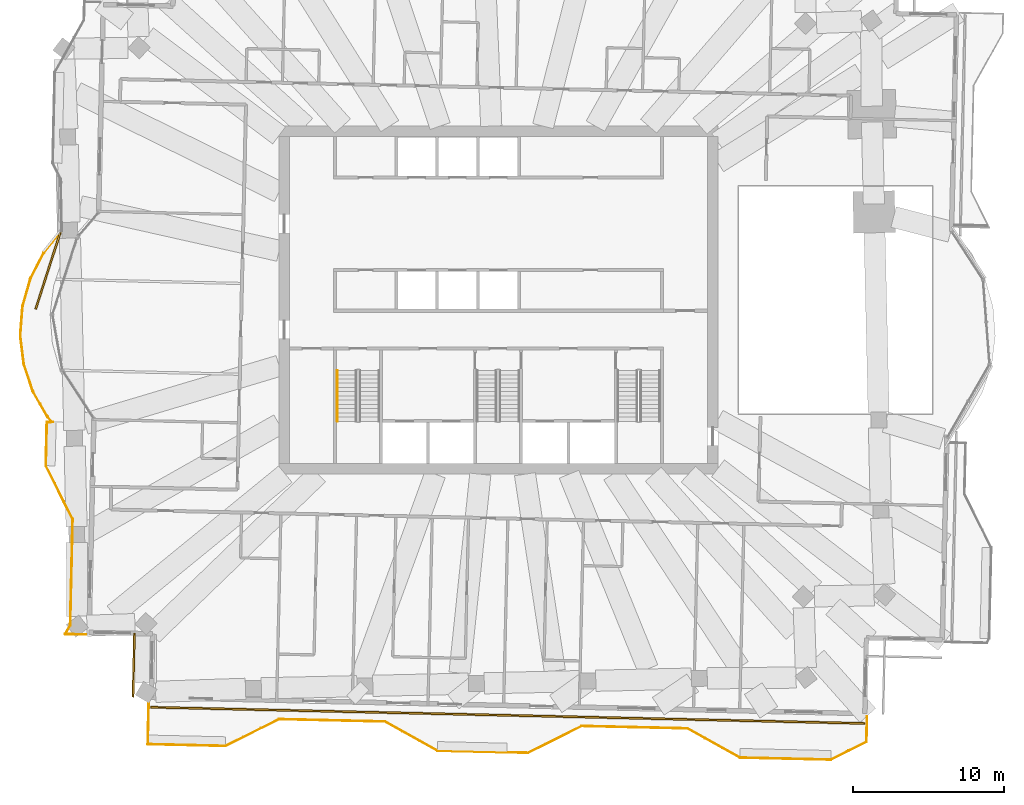
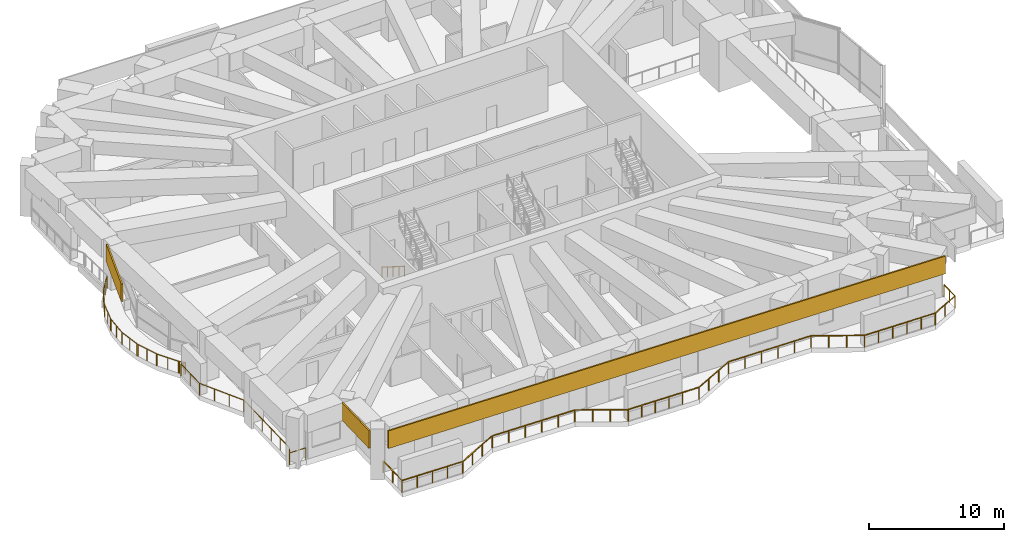
# One storey, part 16 of 20: 4 railings, 3 coverings.
"""IFC4 building model written with IfcOpenShell, lengths in metres."""

from ifc_helpers import new_model, si_unit, direction, frame, frame_2d, origin, origin_2d, place, context, subcontext, project, spatial, rectangle, circle, extrude, material, layer, layer_set, type_object, element, save


model = new_model("IFC4")

# Units and contexts
model_context = context("Model", 3, precision=1e-05, world=origin(), true_north=direction((0.0, 1.0)))
body_context = subcontext(model_context, "Body", "Model", "MODEL_VIEW")
ifc_project = project(units=[si_unit("LENGTHUNIT", "METRE"), si_unit("AREAUNIT", "SQUARE_METRE"), si_unit("VOLUMEUNIT", "CUBIC_METRE"), si_unit("PLANEANGLEUNIT", "RADIAN"), si_unit("MASSUNIT", "GRAM", prefix="KILO")], contexts=[model_context])

# Site, building, storey
site_placement = place(None, origin())
site = spatial("IfcSite", under=ifc_project, at=site_placement, CompositionType="ELEMENT")
building_placement = place(site_placement, origin())
building = spatial("IfcBuilding", under=site, at=building_placement, Name="Mangrove Gate Tower", CompositionType="ELEMENT")
storey_placement = place(building_placement, frame((0.0, 0.0, 252.699951171875)))
storey = spatial("IfcBuildingStorey", under=building, at=storey_placement, Name="L64", CompositionType="ELEMENT", Elevation=252.699951171875)

# Railings
ifc_material_1 = material(Name="Stainless steel grade 316 with laminated glass infill", Category="steel")
railing_type_1 = type_object("IfcRailingType", Name="Balcony guard 1100", PredefinedType="GUARDRAIL", material=ifc_material_1)
railing_1_placement = place(storey_placement, frame((-29.614013671875, -8.069091796875, 0.0)))
element("IfcRailing", 1, at=railing_1_placement, inside=storey, type_object=railing_type_1, Name="GUARD L64 W2", PredefinedType="GUARDRAIL", context=body_context, shape_type="SweptSolid", body=[
    extrude(rectangle(XDim=0.048095703125, YDim=0.048095703125, at=origin_2d()), frame((0.0, 0.0, 1.076171875), z_axis=(-0.999742949092, 0.022672356297, 0.0), x_axis=(-0.022672356297, -0.999742949092, 0.0)), (0.0, 0.0, 1.0), 0.22607421875),
    extrude(rectangle(XDim=0.048095703125, YDim=0.048095703125, at=origin_2d()), frame((-0.22607421875, 0.005126953125, 1.076171875), z_axis=(-0.022590224177, -0.999744808324, 0.0), x_axis=(0.999744808324, -0.022590224177, 0.0)), (0.0, 0.0, 1.0), 2.874755859375),
    extrude(rectangle(XDim=0.048095703125, YDim=0.048095703125, at=origin_2d()), frame((-0.291015625, -2.868896484375, 1.076171875), z_axis=(0.447114919141, -0.894476522376, 0.0), x_axis=(0.894476522376, 0.447114919141, 0.0)), (0.0, 0.0, 1.0), 3.958740234375),
    extrude(rectangle(XDim=0.048095703125, YDim=0.048095703125, at=origin_2d()), frame((1.47900390625, -6.409912109375, 1.076171875), z_axis=(-0.022705559911, -0.999742195543, 0.0), x_axis=(0.999742195543, -0.022705559911, 0.0)), (0.0, 0.0, 1.0), 6.999755859375),
    extrude(rectangle(XDim=0.048095703125, YDim=0.048095703125, at=origin_2d()), frame((1.320068359375, -13.407958984375, 1.076171875), z_axis=(-0.48634525195, -0.873766728541, 0.0), x_axis=(0.873766728541, -0.48634525195, 0.0)), (0.0, 0.0, 1.0), 0.6787109375),
    extrude(rectangle(XDim=0.048095703125, YDim=0.048095703125, at=origin_2d()), frame((0.989990234375, -14.0009765625, 1.076171875), z_axis=(0.999746572278, -0.022512023879, 0.0), x_axis=(0.022512023879, 0.999746572278, 0.0)), (0.0, 0.0, 1.0), 1.377197265625),
    extrude(rectangle(XDim=0.0419921875, YDim=0.0419921875, at=origin_2d()), origin(), (0.0, 0.0, 1.0), 1.052001953125),
    extrude(rectangle(XDim=0.0419921875, YDim=0.0419921875, at=origin_2d()), frame((-0.22607421875, 0.005126953125, 0.0)), (0.0, 0.0, 1.0), 1.052001953125),
    extrude(rectangle(XDim=0.0419921875, YDim=0.0419921875, at=origin_2d()), frame((-0.258544921875, -1.431884765625, 0.0)), (0.0, 0.0, 1.0), 1.052001953125),
    extrude(rectangle(XDim=0.0419921875, YDim=0.0419921875, at=origin_2d()), frame((-0.291015625, -2.868896484375, 0.0)), (0.0, 0.0, 1.0), 1.052001953125),
    extrude(rectangle(XDim=0.0419921875, YDim=0.0419921875, at=origin_2d()), frame((0.299072265625, -4.04931640625, 0.0)), (0.0, 0.0, 1.0), 1.052001953125),
    extrude(rectangle(XDim=0.0419921875, YDim=0.0419921875, at=origin_2d()), frame((0.888916015625, -5.2294921875, 0.0)), (0.0, 0.0, 1.0), 1.052001953125),
    extrude(rectangle(XDim=0.0419921875, YDim=0.0419921875, at=origin_2d()), frame((1.47900390625, -6.409912109375, 0.0)), (0.0, 0.0, 1.0), 1.052001953125),
    extrude(rectangle(XDim=0.0419921875, YDim=0.0419921875, at=origin_2d()), frame((1.447265625, -7.8095703125, 0.0)), (0.0, 0.0, 1.0), 1.052001953125),
    extrude(rectangle(XDim=0.0419921875, YDim=0.0419921875, at=origin_2d()), frame((1.41552734375, -9.209228515625, 0.0)), (0.0, 0.0, 1.0), 1.052001953125),
    extrude(rectangle(XDim=0.0419921875, YDim=0.0419921875, at=origin_2d()), frame((1.383544921875, -10.608642578125, 0.0)), (0.0, 0.0, 1.0), 1.052001953125),
    extrude(rectangle(XDim=0.0419921875, YDim=0.0419921875, at=origin_2d()), frame((1.351806640625, -12.00830078125, 0.0)), (0.0, 0.0, 1.0), 1.052001953125),
    extrude(rectangle(XDim=0.0419921875, YDim=0.0419921875, at=origin_2d()), frame((1.320068359375, -13.407958984375, 0.0)), (0.0, 0.0, 1.0), 1.052001953125),
    extrude(rectangle(XDim=0.0419921875, YDim=0.0419921875, at=origin_2d()), frame((0.989990234375, -14.0009765625, 0.0)), (0.0, 0.0, 1.0), 1.052001953125),
    extrude(rectangle(XDim=0.0419921875, YDim=0.0419921875, at=origin_2d()), frame((2.366943359375, -14.031982421875, 0.0)), (0.0, 0.0, 1.0), 1.052001953125),
])
railing_2_placement = place(storey_placement, frame((-23.10498046875, -26.43603515625, 0.0)))
element("IfcRailing", 2, at=railing_2_placement, inside=storey, type_object=railing_type_1, Name="GUARD L64 S1", PredefinedType="GUARDRAIL", context=body_context, shape_type="SweptSolid", body=[
    extrude(rectangle(XDim=0.048095703125, YDim=0.048095703125, at=origin_2d()), frame((0.0, 0.0, 1.076171875), z_axis=(-0.022654696127, -0.999743349437, 0.0), x_axis=(0.999743349437, -0.022654696127, 0.0)), (0.0, 0.0, 1.0), 2.90966796875),
    extrude(rectangle(XDim=0.048095703125, YDim=0.048095703125, at=origin_2d()), frame((-0.06591796875, -2.908935546875, 1.076171875), z_axis=(0.999740779291, -0.022767833085, 0.0), x_axis=(0.022767833085, 0.999740779291, 0.0)), (0.0, 0.0, 1.0), 5.13623046875),
    extrude(rectangle(XDim=0.048095703125, YDim=0.048095703125, at=origin_2d()), frame((5.069091796875, -3.02587890625, 1.076171875), z_axis=(0.894464192593, 0.447139584658, 0.0), x_axis=(-0.447139584658, 0.894464192593, 0.0)), (0.0, 0.0, 1.0), 3.95849609375),
    extrude(rectangle(XDim=0.048095703125, YDim=0.048095703125, at=origin_2d()), frame((8.60986328125, -1.255859375, 1.076171875), z_axis=(0.999744565238, -0.022600979566, 0.0), x_axis=(0.022600979566, 0.999744565238, 0.0)), (0.0, 0.0, 1.0), 6.999755859375),
    extrude(rectangle(XDim=0.048095703125, YDim=0.048095703125, at=origin_2d()), frame((15.60791015625, -1.4140625, 1.076171875), z_axis=(0.87325689943, -0.48726008209, 0.0), x_axis=(0.48726008209, 0.87325689943, 0.0)), (0.0, 0.0, 1.0), 3.958740234375),
    extrude(rectangle(XDim=0.048095703125, YDim=0.048095703125, at=origin_2d()), frame((19.06494140625, -3.343017578125, 1.076171875), z_axis=(0.999739584003, -0.022820258049, 0.0), x_axis=(0.022820258049, 0.999739584003, 0.0)), (0.0, 0.0, 1.0), 4.600341796875),
    extrude(rectangle(XDim=0.048095703125, YDim=0.048095703125, at=origin_2d()), frame((23.6640625, -3.447998046875, 1.076171875), z_axis=(0.999754810245, -0.022143156767, 0.0), x_axis=(0.022143156767, 0.999754810245, 0.0)), (0.0, 0.0, 1.0), 1.400146484375),
    extrude(rectangle(XDim=0.048095703125, YDim=0.048095703125, at=origin_2d()), frame((25.06396484375, -3.47900390625, 1.076171875), z_axis=(0.894476522376, 0.447114919141, 0.0), x_axis=(-0.447114919141, 0.894476522376, 0.0)), (0.0, 0.0, 1.0), 3.958740234375),
    extrude(rectangle(XDim=0.048095703125, YDim=0.048095703125, at=origin_2d()), frame((28.60498046875, -1.708984375, 1.076171875), z_axis=(0.999742195543, -0.022705559911, 0.0), x_axis=(0.022705559911, 0.999742195543, 0.0)), (0.0, 0.0, 1.0), 6.999755859375),
    extrude(rectangle(XDim=0.048095703125, YDim=0.048095703125, at=origin_2d()), frame((35.60302734375, -1.867919921875, 1.076171875), z_axis=(0.87325689943, -0.48726008209, 0.0), x_axis=(0.48726008209, 0.87325689943, 0.0)), (0.0, 0.0, 1.0), 3.958740234375),
    extrude(rectangle(XDim=0.048095703125, YDim=0.048095703125, at=origin_2d()), frame((39.06005859375, -3.796875, 1.076171875), z_axis=(0.999743178102, -0.022662255828, 0.0), x_axis=(0.022662255828, 0.999743178102, 0.0)), (0.0, 0.0, 1.0), 6.00048828125),
    extrude(rectangle(XDim=0.048095703125, YDim=0.048095703125, at=origin_2d()), frame((45.05908203125, -3.932861328125, 1.076171875), z_axis=(0.894501119764, 0.447065707408, 0.0), x_axis=(-0.447065707408, 0.894501119764, 0.0)), (0.0, 0.0, 1.0), 2.641357421875),
    extrude(rectangle(XDim=0.048095703125, YDim=0.048095703125, at=origin_2d()), frame((47.421875, -2.751953125, 1.076171875), z_axis=(0.022731335247, 0.999741609816, 0.0), x_axis=(-0.999741609816, 0.022731335247, 0.0)), (0.0, 0.0, 1.0), 1.675537109375),
    extrude(rectangle(XDim=0.0419921875, YDim=0.0419921875, at=origin_2d()), origin(), (0.0, 0.0, 1.0), 1.052001953125),
    extrude(rectangle(XDim=0.0419921875, YDim=0.0419921875, at=origin_2d()), frame((-0.032958984375, -1.45458984375, 0.0)), (0.0, 0.0, 1.0), 1.052001953125),
    extrude(rectangle(XDim=0.0419921875, YDim=0.0419921875, at=origin_2d()), frame((-0.06591796875, -2.908935546875, 0.0)), (0.0, 0.0, 1.0), 1.052001953125),
    extrude(rectangle(XDim=0.0419921875, YDim=0.0419921875, at=origin_2d()), frame((1.2177734375, -2.938232421875, 0.0)), (0.0, 0.0, 1.0), 1.052001953125),
    extrude(rectangle(XDim=0.0419921875, YDim=0.0419921875, at=origin_2d()), frame((2.50146484375, -2.96728515625, 0.0)), (0.0, 0.0, 1.0), 1.052001953125),
    extrude(rectangle(XDim=0.0419921875, YDim=0.0419921875, at=origin_2d()), frame((3.785400390625, -2.99658203125, 0.0)), (0.0, 0.0, 1.0), 1.052001953125),
    extrude(rectangle(XDim=0.0419921875, YDim=0.0419921875, at=origin_2d()), frame((5.069091796875, -3.02587890625, 0.0)), (0.0, 0.0, 1.0), 1.052001953125),
    extrude(rectangle(XDim=0.0419921875, YDim=0.0419921875, at=origin_2d()), frame((6.249267578125, -2.435791015625, 0.0)), (0.0, 0.0, 1.0), 1.052001953125),
    extrude(rectangle(XDim=0.0419921875, YDim=0.0419921875, at=origin_2d()), frame((7.4296875, -1.845947265625, 0.0)), (0.0, 0.0, 1.0), 1.052001953125),
    extrude(rectangle(XDim=0.0419921875, YDim=0.0419921875, at=origin_2d()), frame((8.60986328125, -1.255859375, 0.0)), (0.0, 0.0, 1.0), 1.052001953125),
    extrude(rectangle(XDim=0.0419921875, YDim=0.0419921875, at=origin_2d()), frame((10.009521484375, -1.28759765625, 0.0)), (0.0, 0.0, 1.0), 1.052001953125),
    extrude(rectangle(XDim=0.0419921875, YDim=0.0419921875, at=origin_2d()), frame((11.4091796875, -1.319091796875, 0.0)), (0.0, 0.0, 1.0), 1.052001953125),
    extrude(rectangle(XDim=0.0419921875, YDim=0.0419921875, at=origin_2d()), frame((12.80859375, -1.350830078125, 0.0)), (0.0, 0.0, 1.0), 1.052001953125),
    extrude(rectangle(XDim=0.0419921875, YDim=0.0419921875, at=origin_2d()), frame((14.208251953125, -1.38232421875, 0.0)), (0.0, 0.0, 1.0), 1.052001953125),
    extrude(rectangle(XDim=0.0419921875, YDim=0.0419921875, at=origin_2d()), frame((15.60791015625, -1.4140625, 0.0)), (0.0, 0.0, 1.0), 1.052001953125),
    extrude(rectangle(XDim=0.0419921875, YDim=0.0419921875, at=origin_2d()), frame((16.76025390625, -2.05712890625, 0.0)), (0.0, 0.0, 1.0), 1.052001953125),
    extrude(rectangle(XDim=0.0419921875, YDim=0.0419921875, at=origin_2d()), frame((17.91259765625, -2.699951171875, 0.0)), (0.0, 0.0, 1.0), 1.052001953125),
    extrude(rectangle(XDim=0.0419921875, YDim=0.0419921875, at=origin_2d()), frame((19.06494140625, -3.343017578125, 0.0)), (0.0, 0.0, 1.0), 1.052001953125),
    extrude(rectangle(XDim=0.0419921875, YDim=0.0419921875, at=origin_2d()), frame((20.21484375, -3.369140625, 0.0)), (0.0, 0.0, 1.0), 1.052001953125),
    extrude(rectangle(XDim=0.0419921875, YDim=0.0419921875, at=origin_2d()), frame((21.364501953125, -3.3955078125, 0.0)), (0.0, 0.0, 1.0), 1.052001953125),
    extrude(rectangle(XDim=0.0419921875, YDim=0.0419921875, at=origin_2d()), frame((22.51416015625, -3.421875, 0.0)), (0.0, 0.0, 1.0), 1.052001953125),
    extrude(rectangle(XDim=0.0419921875, YDim=0.0419921875, at=origin_2d()), frame((23.6640625, -3.447998046875, 0.0)), (0.0, 0.0, 1.0), 1.052001953125),
    extrude(rectangle(XDim=0.0419921875, YDim=0.0419921875, at=origin_2d()), frame((25.06396484375, -3.47900390625, 0.0)), (0.0, 0.0, 1.0), 1.052001953125),
    extrude(rectangle(XDim=0.0419921875, YDim=0.0419921875, at=origin_2d()), frame((26.244384765625, -2.888916015625, 0.0)), (0.0, 0.0, 1.0), 1.052001953125),
    extrude(rectangle(XDim=0.0419921875, YDim=0.0419921875, at=origin_2d()), frame((27.424560546875, -2.299072265625, 0.0)), (0.0, 0.0, 1.0), 1.052001953125),
    extrude(rectangle(XDim=0.0419921875, YDim=0.0419921875, at=origin_2d()), frame((28.60498046875, -1.708984375, 0.0)), (0.0, 0.0, 1.0), 1.052001953125),
    extrude(rectangle(XDim=0.0419921875, YDim=0.0419921875, at=origin_2d()), frame((30.004638671875, -1.74072265625, 0.0)), (0.0, 0.0, 1.0), 1.052001953125),
    extrude(rectangle(XDim=0.0419921875, YDim=0.0419921875, at=origin_2d()), frame((31.404296875, -1.7724609375, 0.0)), (0.0, 0.0, 1.0), 1.052001953125),
    extrude(rectangle(XDim=0.0419921875, YDim=0.0419921875, at=origin_2d()), frame((32.8037109375, -1.804443359375, 0.0)), (0.0, 0.0, 1.0), 1.052001953125),
    extrude(rectangle(XDim=0.0419921875, YDim=0.0419921875, at=origin_2d()), frame((34.203369140625, -1.836181640625, 0.0)), (0.0, 0.0, 1.0), 1.052001953125),
    extrude(rectangle(XDim=0.0419921875, YDim=0.0419921875, at=origin_2d()), frame((35.60302734375, -1.867919921875, 0.0)), (0.0, 0.0, 1.0), 1.052001953125),
    extrude(rectangle(XDim=0.0419921875, YDim=0.0419921875, at=origin_2d()), frame((36.75537109375, -2.510986328125, 0.0)), (0.0, 0.0, 1.0), 1.052001953125),
    extrude(rectangle(XDim=0.0419921875, YDim=0.0419921875, at=origin_2d()), frame((37.90771484375, -3.15380859375, 0.0)), (0.0, 0.0, 1.0), 1.052001953125),
    extrude(rectangle(XDim=0.0419921875, YDim=0.0419921875, at=origin_2d()), frame((39.06005859375, -3.796875, 0.0)), (0.0, 0.0, 1.0), 1.052001953125),
    extrude(rectangle(XDim=0.0419921875, YDim=0.0419921875, at=origin_2d()), frame((40.259765625, -3.823974609375, 0.0)), (0.0, 0.0, 1.0), 1.052001953125),
    extrude(rectangle(XDim=0.0419921875, YDim=0.0419921875, at=origin_2d()), frame((41.459716796875, -3.851318359375, 0.0)), (0.0, 0.0, 1.0), 1.052001953125),
    extrude(rectangle(XDim=0.0419921875, YDim=0.0419921875, at=origin_2d()), frame((42.659423828125, -3.87841796875, 0.0)), (0.0, 0.0, 1.0), 1.052001953125),
    extrude(rectangle(XDim=0.0419921875, YDim=0.0419921875, at=origin_2d()), frame((43.859375, -3.90576171875, 0.0)), (0.0, 0.0, 1.0), 1.052001953125),
    extrude(rectangle(XDim=0.0419921875, YDim=0.0419921875, at=origin_2d()), frame((45.05908203125, -3.932861328125, 0.0)), (0.0, 0.0, 1.0), 1.052001953125),
    extrude(rectangle(XDim=0.0419921875, YDim=0.0419921875, at=origin_2d()), frame((46.240478515625, -3.34228515625, 0.0)), (0.0, 0.0, 1.0), 1.052001953125),
    extrude(rectangle(XDim=0.0419921875, YDim=0.0419921875, at=origin_2d()), frame((47.421875, -2.751953125, 0.0)), (0.0, 0.0, 1.0), 1.052001953125),
    extrude(rectangle(XDim=0.0419921875, YDim=0.0419921875, at=origin_2d()), frame((47.44091796875, -1.91455078125, 0.0)), (0.0, 0.0, 1.0), 1.052001953125),
    extrude(rectangle(XDim=0.0419921875, YDim=0.0419921875, at=origin_2d()), frame((47.4599609375, -1.076904296875, 0.0)), (0.0, 0.0, 1.0), 1.052001953125),
])
railing_3_placement = place(storey_placement, frame((-29.428955078125, -8.052978515625, 0.0)))
element("IfcRailing", 3, at=railing_3_placement, inside=storey, type_object=railing_type_1, Name="GUARD L64 T2.2", PredefinedType="GUARDRAIL", context=body_context, shape_type="SweptSolid", body=[
    extrude(rectangle(XDim=0.048095703125, YDim=0.048095703125, at=origin_2d()), frame((0.0, 0.0, 1.076171875), z_axis=(-0.999897242238, 0.014335444333, 0.0), x_axis=(-0.014335444333, -0.999897242238, 0.0)), (0.0, 0.0, 1.0), 0.068115234375),
    extrude(rectangle(XDim=0.048095703125, YDim=0.048095703125, at=origin_2d()), frame((-0.068115234375, 0.0009765625, 1.076171875), z_axis=(-0.659752582103, 0.751482887636, 0.0), x_axis=(-0.751482887636, -0.659752582103, 0.0)), (0.0, 0.0, 1.0), 0.415283203125),
    extrude(rectangle(XDim=0.048095703125, YDim=0.048095703125, at=origin_2d()), frame((-0.342041015625, 0.31298828125, 1.076171875), z_axis=(-0.621705532722, 0.783251064846, 0.0), x_axis=(-0.783251064846, -0.621705532722, 0.0)), (0.0, 0.0, 1.0), 0.0498046875),
    extrude(rectangle(XDim=0.048095703125, YDim=0.048095703125, at=origin_2d()), frame((-0.373046875, 0.35205078125, 1.076171875), z_axis=(-0.542238133163, 0.840224854991, 0.0), x_axis=(-0.840224854991, -0.542238133163, 0.0)), (0.0, 0.0, 1.0), 0.050048828125),
    extrude(rectangle(XDim=0.048095703125, YDim=0.048095703125, at=origin_2d()), frame((-0.400146484375, 0.39404296875, 1.076171875), z_axis=(-0.498023199814, 0.867163705679, 0.0), x_axis=(-0.867163705679, -0.498023199814, 0.0)), (0.0, 0.0, 1.0), 1.812744140625),
    extrude(rectangle(XDim=0.048095703125, YDim=0.048095703125, at=origin_2d()), frame((-1.302978515625, 1.966064453125, 1.076171875), z_axis=(-0.462902565911, 0.886409168766, 0.0), x_axis=(-0.886409168766, -0.462902565911, 0.0)), (0.0, 0.0, 1.0), 0.049560546875),
    extrude(rectangle(XDim=0.048095703125, YDim=0.048095703125, at=origin_2d()), frame((-1.325927734375, 2.010009765625, 1.076171875), z_axis=(-0.359630314567, 0.933094870227, 0.0), x_axis=(-0.933094870227, -0.359630314567, 0.0)), (0.0, 0.0, 1.0), 0.05029296875),
    extrude(rectangle(XDim=0.048095703125, YDim=0.048095703125, at=origin_2d()), frame((-1.343994140625, 2.056884765625, 1.076171875), z_axis=(-0.316712695221, 0.94852151725, 0.0), x_axis=(-0.94852151725, -0.316712695221, 0.0)), (0.0, 0.0, 1.0), 1.812255859375),
    extrude(rectangle(XDim=0.048095703125, YDim=0.048095703125, at=origin_2d()), frame((-1.91796875, 3.77587890625, 1.076171875), z_axis=(-0.26435990501, 0.964424097907, 0.0), x_axis=(-0.964424097907, -0.26435990501, 0.0)), (0.0, 0.0, 1.0), 0.0498046875),
    extrude(rectangle(XDim=0.048095703125, YDim=0.048095703125, at=origin_2d()), frame((-1.93115234375, 3.823974609375, 1.076171875), z_axis=(-0.17296302183, 0.984928318752, 0.0), x_axis=(-0.984928318752, -0.17296302183, 0.0)), (0.0, 0.0, 1.0), 0.05078125),
    extrude(rectangle(XDim=0.048095703125, YDim=0.048095703125, at=origin_2d()), frame((-1.93994140625, 3.8740234375, 1.076171875), z_axis=(-0.122028644394, 0.992526578963, 0.0), x_axis=(-0.992526578963, -0.122028644394, 0.0)), (0.0, 0.0, 1.0), 1.8125),
    extrude(rectangle(XDim=0.048095703125, YDim=0.048095703125, at=origin_2d()), frame((-2.1611328125, 5.673095703125, 1.076171875), z_axis=(-0.079745222283, 0.996815278536, 0.0), x_axis=(-0.996815278536, -0.079745222283, 0.0)), (0.0, 0.0, 1.0), 0.049072265625),
    extrude(rectangle(XDim=0.048095703125, YDim=0.048095703125, at=origin_2d()), frame((-2.1650390625, 5.721923828125, 1.076171875), z_axis=(0.03899470896, 0.999239417093, 0.0), x_axis=(-0.999239417093, 0.03899470896, 0.0)), (0.0, 0.0, 1.0), 0.050048828125),
    extrude(rectangle(XDim=0.048095703125, YDim=0.048095703125, at=origin_2d()), frame((-2.1630859375, 5.77197265625, 1.076171875), z_axis=(0.076789216183, 0.997047349065, 0.0), x_axis=(-0.997047349065, 0.076789216183, 0.0)), (0.0, 0.0, 1.0), 1.812255859375),
    extrude(rectangle(XDim=0.048095703125, YDim=0.048095703125, at=origin_2d()), frame((-2.02392578125, 7.578857421875, 1.076171875), z_axis=(0.13532888071, 0.990800733773, 0.0), x_axis=(-0.990800733773, 0.13532888071, 0.0)), (0.0, 0.0, 1.0), 0.050537109375),
    extrude(rectangle(XDim=0.048095703125, YDim=0.048095703125, at=origin_2d()), frame((-2.01708984375, 7.62890625, 1.076171875), z_axis=(0.218472344851, 0.975843140333, 0.0), x_axis=(-0.975843140333, 0.218472344851, 0.0)), (0.0, 0.0, 1.0), 0.05029296875),
    extrude(rectangle(XDim=0.048095703125, YDim=0.048095703125, at=origin_2d()), frame((-2.006103515625, 7.677978515625, 1.076171875), z_axis=(0.273261504961, 0.961939784969, 0.0), x_axis=(-0.961939784969, 0.273261504961, 0.0)), (0.0, 0.0, 1.0), 1.811767578125),
    extrude(rectangle(XDim=0.048095703125, YDim=0.048095703125, at=origin_2d()), frame((-1.510986328125, 9.4208984375, 1.076171875), z_axis=(0.319172448283, 0.947696654134, 0.0), x_axis=(-0.947696654134, 0.319172448283, 0.0)), (0.0, 0.0, 1.0), 0.0498046875),
    extrude(rectangle(XDim=0.048095703125, YDim=0.048095703125, at=origin_2d()), frame((-1.4951171875, 9.468017578125, 1.076171875), z_axis=(0.399795516812, 0.916604355618, 0.0), x_axis=(-0.916604355618, 0.399795516812, 0.0)), (0.0, 0.0, 1.0), 0.050048828125),
    extrude(rectangle(XDim=0.048095703125, YDim=0.048095703125, at=origin_2d()), frame((-1.47509765625, 9.513916015625, 1.076171875), z_axis=(0.458862405504, 0.888507339765, 0.0), x_axis=(-0.888507339765, 0.458862405504, 0.0)), (0.0, 0.0, 1.0), 1.813232421875),
    extrude(rectangle(XDim=0.048095703125, YDim=0.048095703125, at=origin_2d()), frame((-0.64306640625, 11.125, 1.076171875), z_axis=(0.501423782413, 0.865201820635, 0.0), x_axis=(-0.865201820635, 0.501423782413, 0.0)), (0.0, 0.0, 1.0), 0.049560546875),
    extrude(rectangle(XDim=0.048095703125, YDim=0.048095703125, at=origin_2d()), frame((-0.6181640625, 11.16796875, 1.076171875), z_axis=(0.587291012921, 0.80937584974, 0.0), x_axis=(-0.80937584974, 0.587291012921, 0.0)), (0.0, 0.0, 1.0), 0.049560546875),
    extrude(rectangle(XDim=0.048095703125, YDim=0.048095703125, at=origin_2d()), frame((-0.589111328125, 11.2080078125, 1.076171875), z_axis=(0.625233692637, 0.78043758853, 0.0), x_axis=(-0.78043758853, 0.625233692637, 0.0)), (0.0, 0.0, 1.0), 1.713134765625),
    extrude(rectangle(XDim=0.048095703125, YDim=0.048095703125, at=origin_2d()), frame((0.48193359375, 12.544921875, 1.076171875), z_axis=(0.66405846916, 0.747680646758, 0.0), x_axis=(-0.747680646758, 0.66405846916, 0.0)), (0.0, 0.0, 1.0), 0.049560546875),
    extrude(rectangle(XDim=0.0419921875, YDim=0.0419921875, at=origin_2d()), origin(), (0.0, 0.0, 1.0), 1.052001953125),
    extrude(rectangle(XDim=0.0419921875, YDim=0.0419921875, at=origin_2d()), frame((-0.068115234375, 0.0009765625, 0.0)), (0.0, 0.0, 1.0), 1.052001953125),
    extrude(rectangle(XDim=0.0419921875, YDim=0.0419921875, at=origin_2d()), frame((-0.342041015625, 0.31298828125, 0.0)), (0.0, 0.0, 1.0), 1.052001953125),
    extrude(rectangle(XDim=0.0419921875, YDim=0.0419921875, at=origin_2d()), frame((-0.373046875, 0.35205078125, 0.0)), (0.0, 0.0, 1.0), 1.052001953125),
    extrude(rectangle(XDim=0.0419921875, YDim=0.0419921875, at=origin_2d()), frame((-0.400146484375, 0.39404296875, 0.0)), (0.0, 0.0, 1.0), 1.052001953125),
    extrude(rectangle(XDim=0.0419921875, YDim=0.0419921875, at=origin_2d()), frame((-0.8515625, 1.18017578125, 0.0)), (0.0, 0.0, 1.0), 1.052001953125),
    extrude(rectangle(XDim=0.0419921875, YDim=0.0419921875, at=origin_2d()), frame((-1.302978515625, 1.966064453125, 0.0)), (0.0, 0.0, 1.0), 1.052001953125),
    extrude(rectangle(XDim=0.0419921875, YDim=0.0419921875, at=origin_2d()), frame((-1.325927734375, 2.010009765625, 0.0)), (0.0, 0.0, 1.0), 1.052001953125),
    extrude(rectangle(XDim=0.0419921875, YDim=0.0419921875, at=origin_2d()), frame((-1.343994140625, 2.056884765625, 0.0)), (0.0, 0.0, 1.0), 1.052001953125),
    extrude(rectangle(XDim=0.0419921875, YDim=0.0419921875, at=origin_2d()), frame((-1.630859375, 2.91650390625, 0.0)), (0.0, 0.0, 1.0), 1.052001953125),
    extrude(rectangle(XDim=0.0419921875, YDim=0.0419921875, at=origin_2d()), frame((-1.91796875, 3.77587890625, 0.0)), (0.0, 0.0, 1.0), 1.052001953125),
    extrude(rectangle(XDim=0.0419921875, YDim=0.0419921875, at=origin_2d()), frame((-1.93115234375, 3.823974609375, 0.0)), (0.0, 0.0, 1.0), 1.052001953125),
    extrude(rectangle(XDim=0.0419921875, YDim=0.0419921875, at=origin_2d()), frame((-1.93994140625, 3.8740234375, 0.0)), (0.0, 0.0, 1.0), 1.052001953125),
    extrude(rectangle(XDim=0.0419921875, YDim=0.0419921875, at=origin_2d()), frame((-2.050537109375, 4.7734375, 0.0)), (0.0, 0.0, 1.0), 1.052001953125),
    extrude(rectangle(XDim=0.0419921875, YDim=0.0419921875, at=origin_2d()), frame((-2.1611328125, 5.673095703125, 0.0)), (0.0, 0.0, 1.0), 1.052001953125),
    extrude(rectangle(XDim=0.0419921875, YDim=0.0419921875, at=origin_2d()), frame((-2.1650390625, 5.721923828125, 0.0)), (0.0, 0.0, 1.0), 1.052001953125),
    extrude(rectangle(XDim=0.0419921875, YDim=0.0419921875, at=origin_2d()), frame((-2.1630859375, 5.77197265625, 0.0)), (0.0, 0.0, 1.0), 1.052001953125),
    extrude(rectangle(XDim=0.0419921875, YDim=0.0419921875, at=origin_2d()), frame((-2.093505859375, 6.67529296875, 0.0)), (0.0, 0.0, 1.0), 1.052001953125),
    extrude(rectangle(XDim=0.0419921875, YDim=0.0419921875, at=origin_2d()), frame((-2.02392578125, 7.578857421875, 0.0)), (0.0, 0.0, 1.0), 1.052001953125),
    extrude(rectangle(XDim=0.0419921875, YDim=0.0419921875, at=origin_2d()), frame((-2.01708984375, 7.62890625, 0.0)), (0.0, 0.0, 1.0), 1.052001953125),
    extrude(rectangle(XDim=0.0419921875, YDim=0.0419921875, at=origin_2d()), frame((-2.006103515625, 7.677978515625, 0.0)), (0.0, 0.0, 1.0), 1.052001953125),
    extrude(rectangle(XDim=0.0419921875, YDim=0.0419921875, at=origin_2d()), frame((-1.758544921875, 8.54931640625, 0.0)), (0.0, 0.0, 1.0), 1.052001953125),
    extrude(rectangle(XDim=0.0419921875, YDim=0.0419921875, at=origin_2d()), frame((-1.510986328125, 9.4208984375, 0.0)), (0.0, 0.0, 1.0), 1.052001953125),
    extrude(rectangle(XDim=0.0419921875, YDim=0.0419921875, at=origin_2d()), frame((-1.4951171875, 9.468017578125, 0.0)), (0.0, 0.0, 1.0), 1.052001953125),
    extrude(rectangle(XDim=0.0419921875, YDim=0.0419921875, at=origin_2d()), frame((-1.47509765625, 9.513916015625, 0.0)), (0.0, 0.0, 1.0), 1.052001953125),
    extrude(rectangle(XDim=0.0419921875, YDim=0.0419921875, at=origin_2d()), frame((-1.05908203125, 10.3193359375, 0.0)), (0.0, 0.0, 1.0), 1.052001953125),
    extrude(rectangle(XDim=0.0419921875, YDim=0.0419921875, at=origin_2d()), frame((-0.64306640625, 11.125, 0.0)), (0.0, 0.0, 1.0), 1.052001953125),
    extrude(rectangle(XDim=0.0419921875, YDim=0.0419921875, at=origin_2d()), frame((-0.6181640625, 11.16796875, 0.0)), (0.0, 0.0, 1.0), 1.052001953125),
    extrude(rectangle(XDim=0.0419921875, YDim=0.0419921875, at=origin_2d()), frame((-0.589111328125, 11.2080078125, 0.0)), (0.0, 0.0, 1.0), 1.052001953125),
    extrude(rectangle(XDim=0.0419921875, YDim=0.0419921875, at=origin_2d()), frame((-0.0537109375, 11.87646484375, 0.0)), (0.0, 0.0, 1.0), 1.052001953125),
    extrude(rectangle(XDim=0.0419921875, YDim=0.0419921875, at=origin_2d()), frame((0.48193359375, 12.544921875, 0.0)), (0.0, 0.0, 1.0), 1.052001953125),
    extrude(rectangle(XDim=0.0419921875, YDim=0.0419921875, at=origin_2d()), frame((0.514892578125, 12.58203125, 0.0)), (0.0, 0.0, 1.0), 1.052001953125),
])
ifc_material_2 = material(Name="Stainless steel 316", Category="steel")
railing_type_2 = type_object("IfcRailingType", Name="Core stair handrail 900", PredefinedType="HANDRAIL", material=ifc_material_2)
railing_4_placement = place(storey_placement, frame((-10.64990234375, -4.64990234375, 0.177001953125)))
element("IfcRailing", 4, at=railing_4_placement, inside=storey, type_object=railing_type_2, Name="L64 ST1 stair handrail 1", PredefinedType="HANDRAIL", context=body_context, shape_type="SweptSolid", body=[
    extrude(circle(Radius=0.02392578125, at=origin_2d()), frame((0.0, 0.0, 0.8759765625), z_axis=(0.0, -0.845389635667, 0.534150132366), x_axis=(1.0, 0.0, 0.0)), (0.0, 0.0, 1.0), 3.974609375),
    extrude(circle(Radius=0.02099609375, at=origin_2d()), origin(), (0.0, 0.0, 1.0), 0.851806640625),
    extrude(circle(Radius=0.02099609375, at=origin_2d()), frame((0.0, -0.840087890625, 0.53076171875)), (0.0, 0.0, 1.0), 0.851806640625),
    extrude(circle(Radius=0.02099609375, at=origin_2d()), frame((0.0, -1.68017578125, 1.0615234375)), (0.0, 0.0, 1.0), 0.851806640625),
    extrude(circle(Radius=0.02099609375, at=origin_2d()), frame((0.0, -2.52001953125, 1.59228515625)), (0.0, 0.0, 1.0), 0.851806640625),
    extrude(circle(Radius=0.02099609375, at=origin_2d()), frame((0.0, -3.360107421875, 2.123046875)), (0.0, 0.0, 1.0), 0.851806640625),
])

# Coverings
ifc_material_3 = material(Name="Limestone", Category="masonry")
ifc_layer_1 = layer(ifc_material_3, 0.0400390625, Name="Limestone cladding")
ifc_material_4 = material(Name="Stainless steel anchors and cavity", Category="steel")
ifc_layer_2 = layer(ifc_material_4, 0.080078125, Name="Fixing cavity")
ifc_layer_set = layer_set([ifc_layer_1, ifc_layer_2], Name="Joint fascia cladding 120")
covering_type = type_object("IfcCoveringType", Name="Joint fascia cladding 120", PredefinedType="CLADDING", material=ifc_layer_set)
covering_1_placement = place(storey_placement, frame((-28.958984375, 4.451904296875, 2.449951171875), z_axis=(0.0, 0.0, 1.0), x_axis=(-0.306307634984, -0.951932577838, 0.0)))
element("IfcCovering", 5, at=covering_1_placement, inside=storey, type_object=covering_type, Name="STONE FASCIA L64 W9p2.L1", PredefinedType="CLADDING", context=body_context, shape_type="SweptSolid", body=[
    extrude(rectangle(XDim=5.295654296875, YDim=0.1201171875, at=frame_2d((2.64794921875, 0.0))), origin(), (0.0, 0.0, 1.0), 1.60009765625),
])
covering_2_placement = place(storey_placement, frame((-24.054931640625, -22.02294921875, 2.449951171875), z_axis=(0.0, 0.0, 1.0), x_axis=(-0.022611811187, -0.999744320311, 0.0)))
element("IfcCovering", 6, at=covering_2_placement, inside=storey, type_object=covering_type, Name="STONE FASCIA L64 W12.1", PredefinedType="CLADDING", context=body_context, shape_type="SweptSolid", body=[
    extrude(rectangle(XDim=4.199951171875, YDim=0.1201171875, at=frame_2d((2.10009765625, 0.0))), origin(), (0.0, 0.0, 1.0), 1.60009765625),
])
covering_3_placement = place(storey_placement, frame((-22.965087890625, -26.89892578125, 2.449951171875), z_axis=(0.0, 0.0, 1.0), x_axis=(0.999742679181, -0.022684254964, 0.0)))
element("IfcCovering", 7, at=covering_3_placement, inside=storey, type_object=covering_type, Name="STONE FASCIA L64 S13.1", PredefinedType="CLADDING", context=body_context, shape_type="SweptSolid", body=[
    extrude(rectangle(XDim=47.17236328125, YDim=0.1201171875, at=frame_2d((23.586181640625, 0.0))), origin(), (0.0, 0.0, 1.0), 1.60009765625),
])

save(model, "model.ifc")
